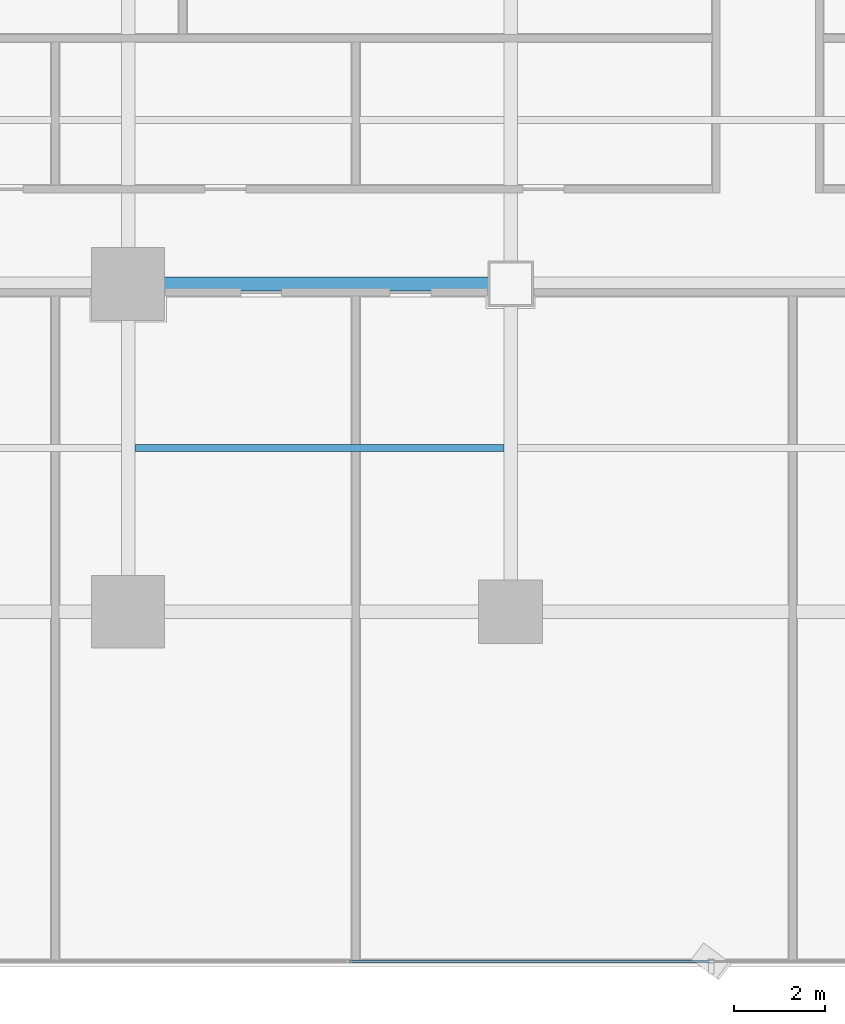
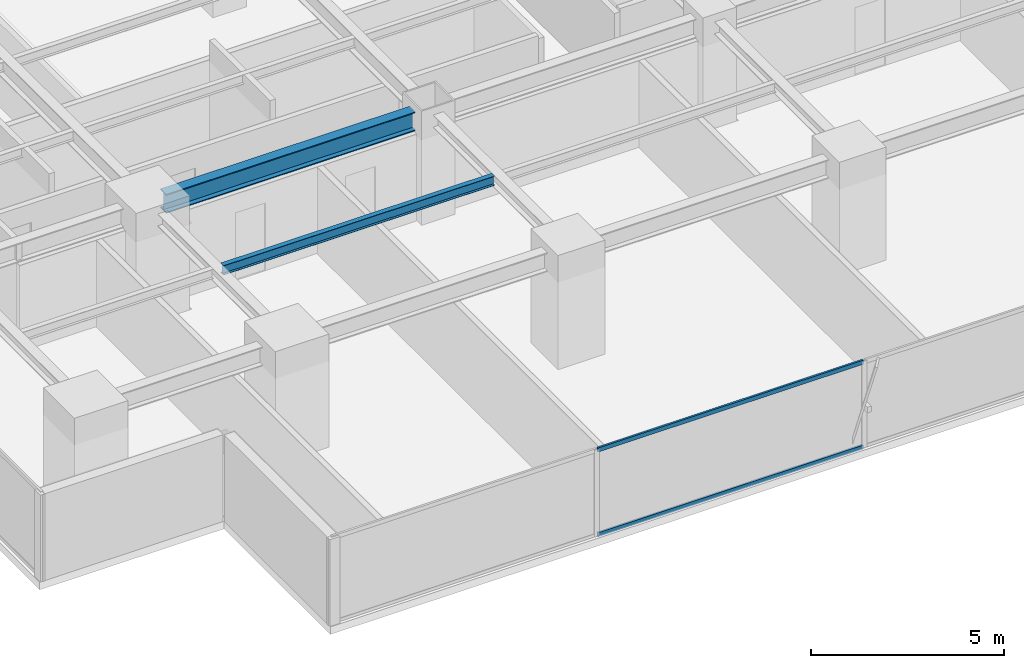
# One storey, part 5 of 35: 2 beams, 2 members, 1 element without a shape of its own.
"""IFC4 building model written with IfcOpenShell, lengths in metres."""

from ifc_helpers import new_model, si_unit, direction, frame, origin, origin_2d, place, context, subcontext, project, spatial, hollow_rectangle, i_section, extrude, source, transform, mapped, material, layer, layer_set, material_profile, profile_set, type_object, element, aggregate, save


model = new_model("IFC4")

# Units and contexts
model_context = context("Model", 3, precision=1e-05, world=origin(), true_north=direction((0.0, 1.0)))
body_context = subcontext(model_context, "Body", "Model", "MODEL_VIEW")
ifc_project = project(units=[si_unit("LENGTHUNIT", "METRE"), si_unit("AREAUNIT", "SQUARE_METRE"), si_unit("VOLUMEUNIT", "CUBIC_METRE"), si_unit("PLANEANGLEUNIT", "RADIAN"), si_unit("MASSUNIT", "GRAM", prefix="KILO")], contexts=[model_context])

# Site, building, storey
site_placement = place(None, origin())
site = spatial("IfcSite", under=ifc_project, at=site_placement, CompositionType="ELEMENT")
building_placement = place(site_placement, origin())
building = spatial("IfcBuilding", under=site, at=building_placement, Name="Sumidabori Civic Tower", CompositionType="ELEMENT")
storey_placement = place(building_placement, frame((0.0, 0.0, 102.800048828125)))
storey = spatial("IfcBuildingStorey", under=building, at=storey_placement, Name="L26", CompositionType="ELEMENT", Elevation=102.800048828125)

# Beams
ifc_material_1 = material(Name="Steel SN490", Category="steel")
ifc_material_profile_1 = material_profile(ifc_material_1, i_section(OverallWidth=0.300048828125, OverallDepth=0.60009765625, WebThickness=0.015380859375, FlangeThickness=0.030029296875, at=origin_2d()), Name="HE 600 B")
ifc_profile_set_1 = profile_set([ifc_material_profile_1], Name="Steel SN490")
beam_type_1 = type_object("IfcBeamType", Name="BM-GIRD-600", PredefinedType="BEAM", material=ifc_profile_set_1)
shared_shape_1 = source(origin(), body_context, "Body", "SweptSolid", [
    extrude(i_section(OverallWidth=0.300048828125, OverallDepth=0.60009765625, WebThickness=0.015380859375, FlangeThickness=0.030029296875, at=origin_2d()), origin(), (0.0, 0.0, 1.0), 7.440185546875),
])
beam_1_placement = place(storey_placement, frame((-16.320068359375, -10.800048828125, 3.06005859375), z_axis=(1.0, 0.0, 0.0), x_axis=(0.0, 1.0, 0.0)))
element("IfcBeam", 1, at=beam_1_placement, inside=storey, type_object=beam_type_1, Name="Primary Girder L26 GX-08", PredefinedType="BEAM", context=body_context, shape_type="MappedRepresentation", body=[
    mapped(shared_shape_1, transform((0.0, 0.0, 0.0), x_axis=(1.0, 0.0, 0.0), y_axis=(0.0, 1.0, 0.0), z_axis=(0.0, 0.0, 1.0), scale=1.0)),
])
ifc_material_profile_2 = material_profile(ifc_material_1, i_section(OverallWidth=0.14990234375, OverallDepth=0.300048828125, WebThickness=0.007080078125, FlangeThickness=0.0107421875, at=origin_2d()), Name="IPE 300")
ifc_profile_set_2 = profile_set([ifc_material_profile_2], Name="Steel SN490")
beam_type_2 = type_object("IfcBeamType", Name="BM-JST-300", PredefinedType="JOIST", material=ifc_profile_set_2)
shared_shape_2 = source(origin(), body_context, "Body", "SweptSolid", [
    extrude(i_section(OverallWidth=0.14990234375, OverallDepth=0.300048828125, WebThickness=0.007080078125, FlangeThickness=0.0107421875, at=origin_2d()), origin(), (0.0, 0.0, 1.0), 8.099853515625),
])
beam_2_placement = place(storey_placement, frame((-16.64990234375, -14.39990234375, 3.2099609375), z_axis=(1.0, 0.0, 0.0), x_axis=(0.0, 1.0, 0.0)))
element("IfcBeam", 2, at=beam_2_placement, inside=storey, type_object=beam_type_2, Name="South Bay Floor Joist L26 JSTS-55", PredefinedType="JOIST", context=body_context, shape_type="MappedRepresentation", body=[
    mapped(shared_shape_2, transform((0.0, 0.0, 0.0), x_axis=(1.0, 0.0, 0.0), y_axis=(0.0, 1.0, 0.0), z_axis=(0.0, 0.0, 1.0), scale=1.0)),
])

# Curtain wall, members
ifc_material_2 = material(Name="Anodised Bronze Aluminium AW-6063-T6", Category="aluminium")
ifc_layer = layer(ifc_material_2, 0.179931640625, Name="Anodised Bronze Aluminium AW-6063-T6")
ifc_layer_set = layer_set([ifc_layer], Name="Anodised Bronze Aluminium AW-6063-T6")
curtain_wall_type = type_object("IfcCurtainWallType", Name="CW-SYS-3", PredefinedType="NOTDEFINED", material=ifc_layer_set)
curtain_wall_placement = place(storey_placement, origin())
curtain_wall = element("IfcCurtainWall", 3, at=curtain_wall_placement, inside=storey, type_object=curtain_wall_type, Name="Curtain Wall CW:L26:R01", PredefinedType="NOTDEFINED")
ifc_material_profile_3 = material_profile(ifc_material_2, hollow_rectangle(XDim=0.06005859375, YDim=0.1298828125, WallThickness=0.0048828125, at=origin_2d()), Name="ALU TRANSOM 130x60")
ifc_profile_set_3 = profile_set([ifc_material_profile_3], Name="Anodised Bronze Aluminium AW-6063-T6")
member_type = type_object("IfcMemberType", Name="CW-TRN-130", PredefinedType="USERDEFINED", material=ifc_profile_set_3)
shared_shape_3 = source(origin(), body_context, "Body", "SweptSolid", [
    extrude(hollow_rectangle(XDim=0.06005859375, YDim=0.1298828125, WallThickness=0.0048828125, at=origin_2d()), origin(), (0.0, 0.0, 1.0), 7.9228515625),
])
member_1_placement = place(storey_placement, frame((-11.949462890625, -25.679931640625, 0.030029296875), z_axis=(1.0, 0.0, 0.0), x_axis=(0.0, 1.0, 0.0)))
member_1 = element("IfcMember", 4, at=member_1_placement, type_object=member_type, Name="CW-3 transom 2.1", ObjectType="TRANSOM", PredefinedType="USERDEFINED", context=body_context, shape_type="MappedRepresentation", body=[
    mapped(shared_shape_3, transform((0.0, 0.0, 0.0), x_axis=(1.0, 0.0, 0.0), y_axis=(0.0, 1.0, 0.0), z_axis=(0.0, 0.0, 1.0), scale=1.0)),
])
member_2_placement = place(storey_placement, frame((-11.949462890625, -25.679931640625, 2.7099609375), z_axis=(1.0, 0.0, 0.0), x_axis=(0.0, 1.0, 0.0)))
member_2 = element("IfcMember", 5, at=member_2_placement, type_object=member_type, Name="CW-3 transom 2.2", ObjectType="TRANSOM", PredefinedType="USERDEFINED", context=body_context, shape_type="MappedRepresentation", body=[
    mapped(shared_shape_3, transform((0.0, 0.0, 0.0), x_axis=(1.0, 0.0, 0.0), y_axis=(0.0, 1.0, 0.0), z_axis=(0.0, 0.0, 1.0), scale=1.0)),
])
aggregate(curtain_wall, [member_1, member_2])

save(model, "model.ifc")
